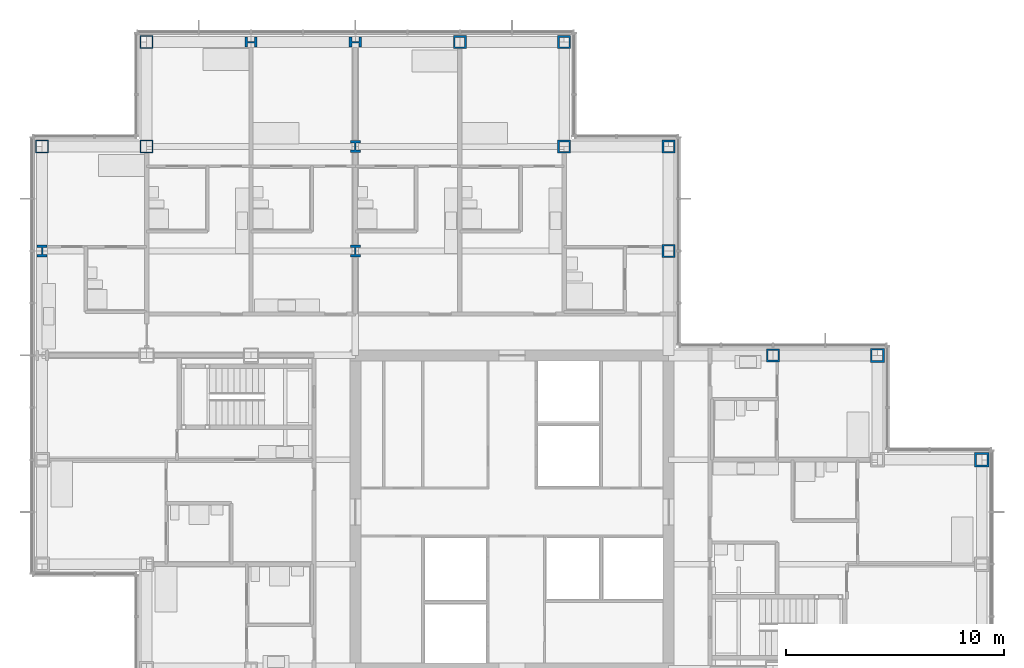
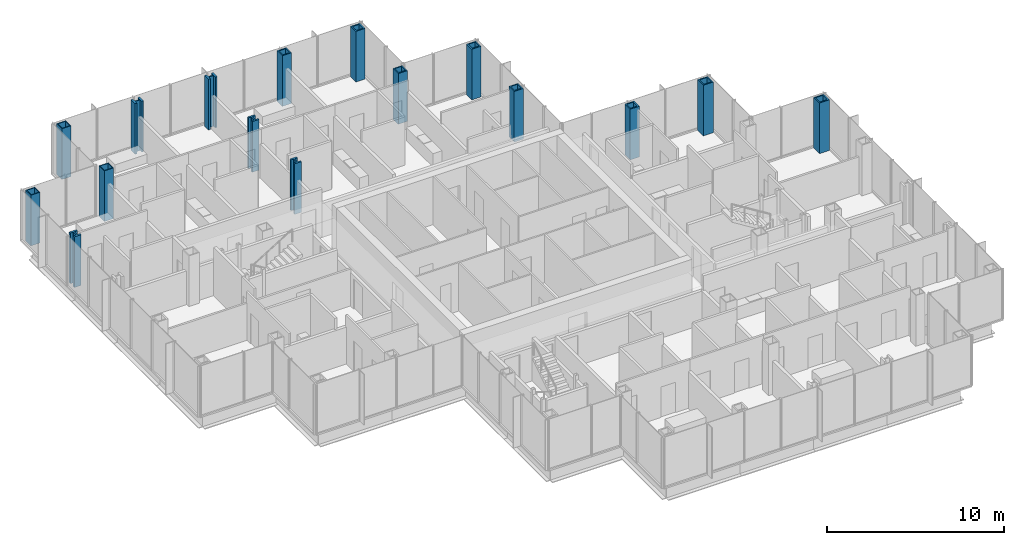
# One storey, part 5 of 20: 16 columns.
"""IFC4 building model written with IfcOpenShell, lengths in metres."""

from ifc_helpers import new_model, si_unit, direction, frame, origin, origin_2d, place, context, subcontext, project, spatial, hollow_rectangle, i_section, extrude, material, material_profile, profile_set, type_object, element, save


model = new_model("IFC4")

# Units and contexts
model_context = context("Model", 3, precision=1e-05, world=origin(), true_north=direction((0.0, 1.0)))
body_context = subcontext(model_context, "Body", "Model", "MODEL_VIEW")
ifc_project = project(units=[si_unit("LENGTHUNIT", "METRE"), si_unit("AREAUNIT", "SQUARE_METRE"), si_unit("VOLUMEUNIT", "CUBIC_METRE"), si_unit("PLANEANGLEUNIT", "RADIAN"), si_unit("MASSUNIT", "GRAM", prefix="KILO")], contexts=[model_context])

# Site, building, storey
site_placement = place(None, origin())
site = spatial("IfcSite", under=ifc_project, at=site_placement, CompositionType="ELEMENT")
building_placement = place(site_placement, origin())
building = spatial("IfcBuilding", under=site, at=building_placement, Name="Kvirike Care Tower", CompositionType="ELEMENT")
storey_placement = place(building_placement, frame((0.0, 0.0, 91.0)))
storey = spatial("IfcBuildingStorey", under=building, at=storey_placement, Name="L24", CompositionType="ELEMENT", Elevation=91.0)

# Columns
ifc_material_1 = material(Name="Steel S460", Category="steel")
ifc_material_profile_1 = material_profile(ifc_material_1, hollow_rectangle(XDim=0.60009765625, YDim=0.60009765625, WallThickness=0.050048828125, at=origin_2d()), Name="BX 600x600x50")
ifc_profile_set_1 = profile_set([ifc_material_profile_1], Name="Steel S460")
column_type_1 = type_object("IfcColumnType", Name="COLUMN BX 600x600x50", PredefinedType="COLUMN", material=ifc_profile_set_1)
for number, where, z_axis, x_axis, name in (
    (1, (0.0, 52.800048828125, 0.0), (0.0, 0.0, 1.0), (0.0, 1.0, 0.0), "Column M3 L24"),
    (2, (4.800048828125, 52.800048828125, 0.0), (0.0, 0.0, 1.0), (0.0, 1.0, 0.0), "Column M4 L24"),
    (3, (4.800048828125, 57.60009765625, 0.0), (0.0, 0.0, 1.0), (0.0, 1.0, 0.0), "Column N4 L24"),
):
    element("IfcColumn", number, at=place(storey_placement, frame(where, z_axis=z_axis, x_axis=x_axis)), inside=storey, type_object=column_type_1, Name=name, PredefinedType="COLUMN", context=body_context, shape_type="SweptSolid", body=[
        extrude(hollow_rectangle(XDim=0.60009765625, YDim=0.60009765625, WallThickness=0.050048828125, at=origin_2d()), origin(), (0.0, 0.0, 1.0), 3.5),
    ])
ifc_material_2 = material(Name="Steel S460", Category="steel")
ifc_material_profile_2 = material_profile(ifc_material_2, hollow_rectangle(XDim=0.60009765625, YDim=0.60009765625, WallThickness=0.080078125, at=origin_2d()), Name="BX 600x600x80")
ifc_profile_set_2 = profile_set([ifc_material_profile_2], Name="Steel S460")
column_type_2 = type_object("IfcColumnType", Name="COLUMN BX 600x600x80", PredefinedType="COLUMN", material=ifc_profile_set_2)
for number, where, z_axis, x_axis, name in (
    (4, (19.199951171875, 57.60009765625, 0.0), (0.0, 0.0, 1.0), (0.0, 1.0, 0.0), "Column N7 L24"),
    (5, (24.0, 52.800048828125, 0.0), (0.0, 0.0, 1.0), (0.0, 1.0, 0.0), "Column M8 L24"),
    (6, (24.0, 57.60009765625, 0.0), (0.0, 0.0, 1.0), (0.0, 1.0, 0.0), "Column N8 L24"),
    (7, (28.800048828125, 48.0, 0.0), (0.0, 0.0, 1.0), (1.0, 0.0, 0.0), "Column L9 L24"),
    (8, (28.800048828125, 52.800048828125, 0.0), (0.0, 0.0, 1.0), (0.0, 1.0, 0.0), "Column M9 L24"),
    (9, (33.60009765625, 43.199951171875, 0.0), (0.0, 0.0, 1.0), (0.0, 1.0, 0.0), "Column K10 L24"),
):
    element("IfcColumn", number, at=place(storey_placement, frame(where, z_axis=z_axis, x_axis=x_axis)), inside=storey, type_object=column_type_2, Name=name, PredefinedType="COLUMN", context=body_context, shape_type="SweptSolid", body=[
        extrude(hollow_rectangle(XDim=0.60009765625, YDim=0.60009765625, WallThickness=0.080078125, at=origin_2d()), origin(), (0.0, 0.0, 1.0), 3.5),
    ])
ifc_material_3 = material(Name="Steel S460", Category="steel")
ifc_material_profile_3 = material_profile(ifc_material_3, hollow_rectangle(XDim=0.64990234375, YDim=0.64990234375, WallThickness=0.080078125, at=origin_2d()), Name="BX 650x650x80")
ifc_profile_set_3 = profile_set([ifc_material_profile_3], Name="Steel S460")
column_type_3 = type_object("IfcColumnType", Name="COLUMN BX 650x650x80", PredefinedType="COLUMN", material=ifc_profile_set_3)
for number, where, z_axis, x_axis, name in (
    (10, (38.39990234375, 43.199951171875, 0.0), (0.0, 0.0, 1.0), (0.0, 1.0, 0.0), "Column K11 L24"),
    (11, (43.199951171875, 38.39990234375, 0.0), (0.0, 0.0, 1.0), (0.0, 1.0, 0.0), "Column J12 L24"),
):
    element("IfcColumn", number, at=place(storey_placement, frame(where, z_axis=z_axis, x_axis=x_axis)), inside=storey, type_object=column_type_3, Name=name, PredefinedType="COLUMN", context=body_context, shape_type="SweptSolid", body=[
        extrude(hollow_rectangle(XDim=0.64990234375, YDim=0.64990234375, WallThickness=0.080078125, at=origin_2d()), origin(), (0.0, 0.0, 1.0), 3.5),
    ])
ifc_material_4 = material(Name="Steel S460", Category="steel")
ifc_material_profile_4 = material_profile(ifc_material_4, i_section(OverallWidth=0.4541015625, OverallDepth=0.569091796875, WebThickness=0.077880859375, FlangeThickness=0.125, FilletRadius=0.014892578125, at=origin_2d()), Name="HD 400x1086")
ifc_profile_set_4 = profile_set([ifc_material_profile_4], Name="Steel S460")
column_type_4 = type_object("IfcColumnType", Name="COLUMN HD 400x1086", PredefinedType="COLUMN", material=ifc_profile_set_4)
for number, where, z_axis, x_axis, name in (
    (12, (0.0, 48.0, 0.0), (0.0, 0.0, 1.0), (1.0, 0.0, 0.0), "Column L3 L24"),
    (13, (9.60009765625, 57.60009765625, 0.0), (0.0, 0.0, 1.0), (0.0, 1.0, 0.0), "Column N5 L24"),
    (14, (14.39990234375, 57.60009765625, 0.0), (0.0, 0.0, 1.0), (0.0, 1.0, 0.0), "Column N6 L24"),
):
    element("IfcColumn", number, at=place(storey_placement, frame(where, z_axis=z_axis, x_axis=x_axis)), inside=storey, type_object=column_type_4, Name=name, PredefinedType="COLUMN", context=body_context, shape_type="SweptSolid", body=[
        extrude(i_section(OverallWidth=0.4541015625, OverallDepth=0.569091796875, WebThickness=0.077880859375, FlangeThickness=0.125, FilletRadius=0.014892578125, at=origin_2d()), origin(), (0.0, 0.0, 1.0), 3.5),
    ])
ifc_material_5 = material(Name="Steel S460", Category="steel")
ifc_material_profile_5 = material_profile(ifc_material_5, i_section(OverallWidth=0.447998046875, OverallDepth=0.550048828125, WebThickness=0.072021484375, FlangeThickness=0.114990234375, FilletRadius=0.014892578125, at=origin_2d()), Name="HD 400x990")
ifc_profile_set_5 = profile_set([ifc_material_profile_5], Name="Steel S460")
column_type_5 = type_object("IfcColumnType", Name="COLUMN HD 400x990", PredefinedType="COLUMN", material=ifc_profile_set_5)
for number, where, z_axis, x_axis, name in (
    (15, (14.39990234375, 48.0, 0.0), (0.0, 0.0, 1.0), (1.0, 0.0, 0.0), "Column L6 L24"),
    (16, (14.39990234375, 52.800048828125, 0.0), (0.0, 0.0, 1.0), (1.0, 0.0, 0.0), "Column M6 L24"),
):
    element("IfcColumn", number, at=place(storey_placement, frame(where, z_axis=z_axis, x_axis=x_axis)), inside=storey, type_object=column_type_5, Name=name, PredefinedType="COLUMN", context=body_context, shape_type="SweptSolid", body=[
        extrude(i_section(OverallWidth=0.447998046875, OverallDepth=0.550048828125, WebThickness=0.072021484375, FlangeThickness=0.114990234375, FilletRadius=0.014892578125, at=origin_2d()), origin(), (0.0, 0.0, 1.0), 3.5),
    ])

save(model, "model.ifc")
